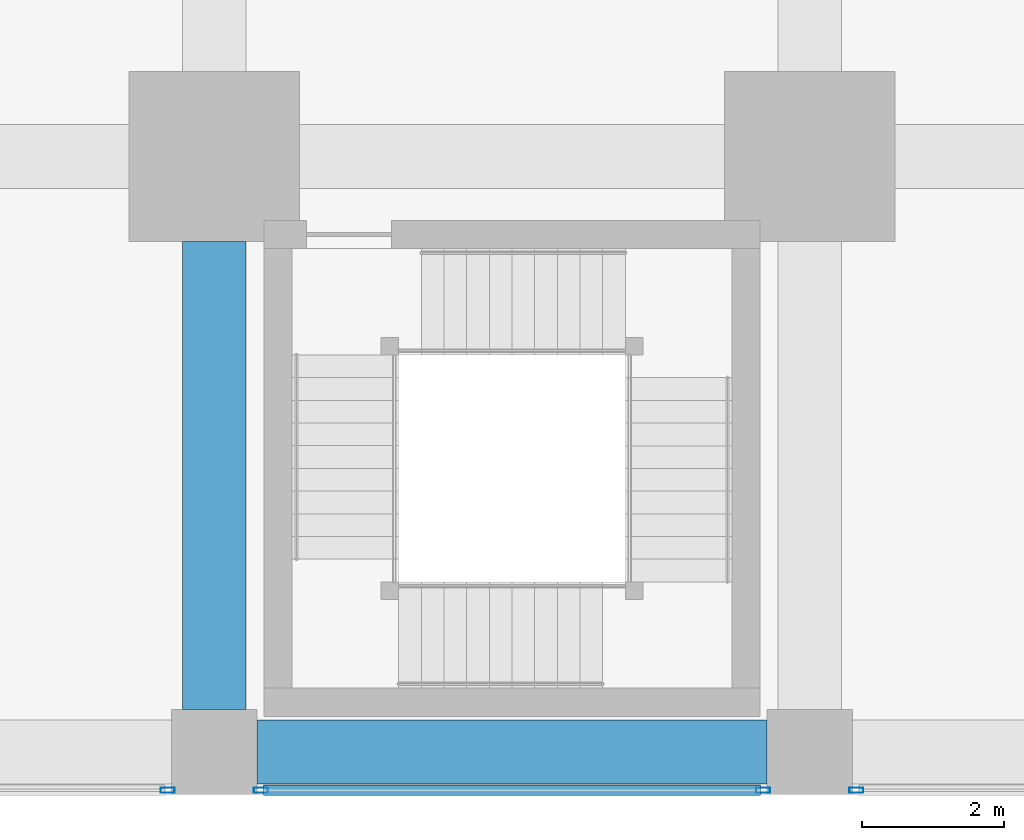
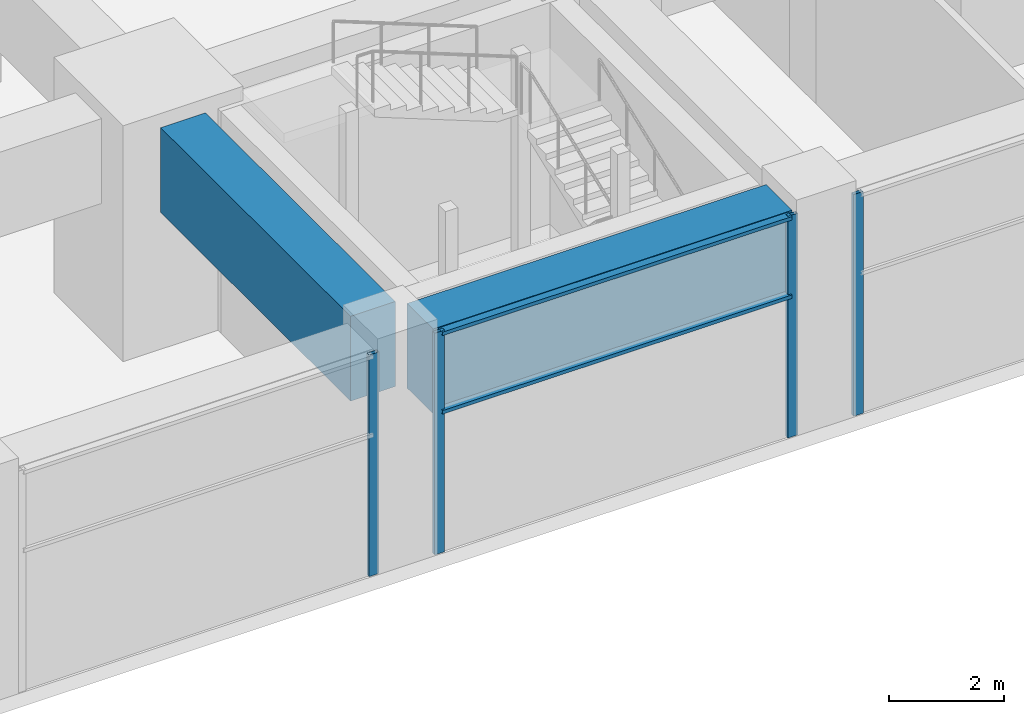
# One storey, part 15 of 49: 6 members, 2 beams, 3 elements without a shape of their own.
"""IFC4 building model written with IfcOpenShell, lengths in metres."""

from ifc_helpers import new_model, si_unit, direction, frame, origin, origin_2d, place, context, subcontext, project, spatial, rectangle, hollow_rectangle, extrude, material, material_profile, profile_set, type_object, element, aggregate, save


model = new_model("IFC4")

# Units and contexts
model_context = context("Model", 3, precision=1e-05, world=origin(), true_north=direction((0.0, 1.0)))
body_context = subcontext(model_context, "Body", "Model", "MODEL_VIEW")
ifc_project = project(units=[si_unit("LENGTHUNIT", "METRE"), si_unit("AREAUNIT", "SQUARE_METRE"), si_unit("VOLUMEUNIT", "CUBIC_METRE"), si_unit("PLANEANGLEUNIT", "RADIAN"), si_unit("MASSUNIT", "GRAM", prefix="KILO")], contexts=[model_context])

# Site, building, storey
site_placement = place(None, origin())
site = spatial("IfcSite", under=ifc_project, at=site_placement, CompositionType="ELEMENT")
building_placement = place(site_placement, origin())
building = spatial("IfcBuilding", under=site, at=building_placement, Name="Rekha Terrace Tower", CompositionType="ELEMENT")
storey_placement = place(building_placement, frame((0.0, 0.0, 10.39990234375)))
storey = spatial("IfcBuildingStorey", under=building, at=storey_placement, Name="L02", CompositionType="ELEMENT", Elevation=10.39990234375)

# Curtain wall, member
ifc_material_1 = material(Name="Aluminium framing", Category="aluminium")
curtain_wall_type = type_object("IfcCurtainWallType", Name="CW4 podium shopfront glazing", PredefinedType="USERDEFINED", material=ifc_material_1)
curtain_wall_1_placement = place(storey_placement, origin())
curtain_wall_1 = element("IfcCurtainWall", 1, at=curtain_wall_1_placement, inside=storey, type_object=curtain_wall_type, Name="CW4 shopfront curtain wall", ObjectType="SHOPFRONT CURTAIN WALL", PredefinedType="USERDEFINED")
ifc_material_2 = material(Name="Aluminium mullion section", Category="aluminium")
ifc_material_profile_1 = material_profile(ifc_material_2, hollow_rectangle(XDim=0.074951171875, YDim=0.199951171875, WallThickness=0.00390625, at=origin_2d()), Name="AL RHS 75x200")
ifc_profile_set_1 = profile_set([ifc_material_profile_1], Name="Aluminium mullion section")
member_type_1 = type_object("IfcMemberType", Name="CW4 mullion RHS 75 x 200", PredefinedType="MULLION", material=ifc_profile_set_1)
member_1_placement = place(storey_placement, frame((49.742431640625, -0.5400390625, 0.0), z_axis=(0.0, 0.0, 1.0), x_axis=(0.0, 1.0, 0.0)))
member_1 = element("IfcMember", 2, at=member_1_placement, type_object=member_type_1, Name="CW4 mullion 2", PredefinedType="MULLION", context=body_context, shape_type="SweptSolid", body=[
    extrude(hollow_rectangle(XDim=0.074951171875, YDim=0.199951171875, WallThickness=0.00390625, at=origin_2d()), origin(), (0.0, 0.0, 1.0), 4.7001953125),
])
aggregate(curtain_wall_1, [member_1])

# Curtain wall, members
curtain_wall_2_placement = place(storey_placement, origin())
curtain_wall_2 = element("IfcCurtainWall", 3, at=curtain_wall_2_placement, inside=storey, type_object=curtain_wall_type, Name="CW4 shopfront curtain wall", ObjectType="SHOPFRONT CURTAIN WALL", PredefinedType="USERDEFINED")
member_2_placement = place(storey_placement, frame((51.0576171875, -0.5400390625, 0.0), z_axis=(0.0, 0.0, 1.0), x_axis=(0.0, 1.0, 0.0)))
member_2 = element("IfcMember", 4, at=member_2_placement, type_object=member_type_1, Name="CW4 mullion 1", PredefinedType="MULLION", context=body_context, shape_type="SweptSolid", body=[
    extrude(hollow_rectangle(XDim=0.074951171875, YDim=0.199951171875, WallThickness=0.00390625, at=origin_2d()), origin(), (0.0, 0.0, 1.0), 4.7001953125),
])
member_3_placement = place(storey_placement, frame((58.142578125, -0.5400390625, 0.0), z_axis=(0.0, 0.0, 1.0), x_axis=(0.0, 1.0, 0.0)))
member_3 = element("IfcMember", 5, at=member_3_placement, type_object=member_type_1, Name="CW4 mullion 2", PredefinedType="MULLION", context=body_context, shape_type="SweptSolid", body=[
    extrude(hollow_rectangle(XDim=0.074951171875, YDim=0.199951171875, WallThickness=0.00390625, at=origin_2d()), origin(), (0.0, 0.0, 1.0), 4.7001953125),
])

# Curtain wall, member
curtain_wall_3_placement = place(storey_placement, origin())
curtain_wall_3 = element("IfcCurtainWall", 6, at=curtain_wall_3_placement, inside=storey, type_object=curtain_wall_type, Name="CW4 shopfront curtain wall", ObjectType="SHOPFRONT CURTAIN WALL", PredefinedType="USERDEFINED")
member_4_placement = place(storey_placement, frame((59.45751953125, -0.5400390625, 0.0), z_axis=(0.0, 0.0, 1.0), x_axis=(0.0, 1.0, 0.0)))
member_4 = element("IfcMember", 7, at=member_4_placement, type_object=member_type_1, Name="CW4 mullion 1", PredefinedType="MULLION", context=body_context, shape_type="SweptSolid", body=[
    extrude(hollow_rectangle(XDim=0.074951171875, YDim=0.199951171875, WallThickness=0.00390625, at=origin_2d()), origin(), (0.0, 0.0, 1.0), 4.7001953125),
])
aggregate(curtain_wall_3, [member_4])

# Member
ifc_material_3 = material(Name="Aluminium transom section", Category="aluminium")
ifc_material_profile_2 = material_profile(ifc_material_3, hollow_rectangle(XDim=0.14990234375, YDim=0.074951171875, WallThickness=0.0029296875, at=origin_2d()), Name="AL RHS 150x75")
ifc_profile_set_2 = profile_set([ifc_material_profile_2], Name="Aluminium transom section")
member_type_2 = type_object("IfcMemberType", Name="CW4 transom RHS 75 x 150", PredefinedType="USERDEFINED", material=ifc_profile_set_2)
member_5_placement = place(storey_placement, frame((51.094970703125, -0.5400390625, 3.0), z_axis=(1.0, 0.0, 0.0), x_axis=(0.0, 1.0, 0.0)))
member_5 = element("IfcMember", 8, at=member_5_placement, type_object=member_type_2, Name="CW4 transom 1.2", ObjectType="TRANSOM", PredefinedType="USERDEFINED", context=body_context, shape_type="SweptSolid", body=[
    extrude(hollow_rectangle(XDim=0.14990234375, YDim=0.074951171875, WallThickness=0.0029296875, at=origin_2d()), origin(), (0.0, 0.0, 1.0), 7.010009765625),
])

member_6_placement = place(storey_placement, frame((51.094970703125, -0.5400390625, 4.66259765625), z_axis=(1.0, 0.0, 0.0), x_axis=(0.0, 1.0, 0.0)))
member_6 = element("IfcMember", 9, at=member_6_placement, type_object=member_type_2, Name="CW4 transom 1.3", ObjectType="TRANSOM", PredefinedType="USERDEFINED", context=body_context, shape_type="SweptSolid", body=[
    extrude(hollow_rectangle(XDim=0.14990234375, YDim=0.074951171875, WallThickness=0.0029296875, at=origin_2d()), origin(), (0.0, 0.0, 1.0), 7.010009765625),
])

aggregate(curtain_wall_2, [member_2, member_3, member_5, member_6])

# Beams
ifc_material_4 = material(Name="Concrete M60", Category="concrete")
ifc_material_profile_3 = material_profile(ifc_material_4, rectangle(XDim=0.89990234375, YDim=1.800048828125, at=origin_2d()), Name="RC 900x1800")
ifc_profile_set_3 = profile_set([ifc_material_profile_3], Name="Concrete M60")
beam_type = type_object("IfcBeamType", Name="G1 900x1800 podium floor beam", PredefinedType="BEAM", material=ifc_profile_set_3)
beam_1_placement = place(storey_placement, frame((51.0, 0.0, 3.800048828125), z_axis=(1.0, 0.0, 0.0), x_axis=(0.0, 1.0, 0.0)))
element("IfcBeam", 10, at=beam_1_placement, inside=storey, type_object=beam_type, Name="Beam G1 7A-8A under L03", PredefinedType="BEAM", context=body_context, shape_type="SweptSolid", body=[
    extrude(rectangle(XDim=0.89990234375, YDim=1.800048828125, at=origin_2d()), origin(), (0.0, 0.0, 1.0), 7.199951171875),
])
beam_2_placement = place(storey_placement, frame((50.39990234375, 0.60009765625, 3.800048828125), z_axis=(0.0, 1.0, 0.0), x_axis=(-1.0, 0.0, 0.0)))
element("IfcBeam", 11, at=beam_2_placement, inside=storey, type_object=beam_type, Name="Beam G1 7A-7B under L03", PredefinedType="BEAM", context=body_context, shape_type="SweptSolid", body=[
    extrude(rectangle(XDim=0.89990234375, YDim=1.800048828125, at=origin_2d()), origin(), (0.0, 0.0, 1.0), 6.599853515625),
])

save(model, "model.ifc")
